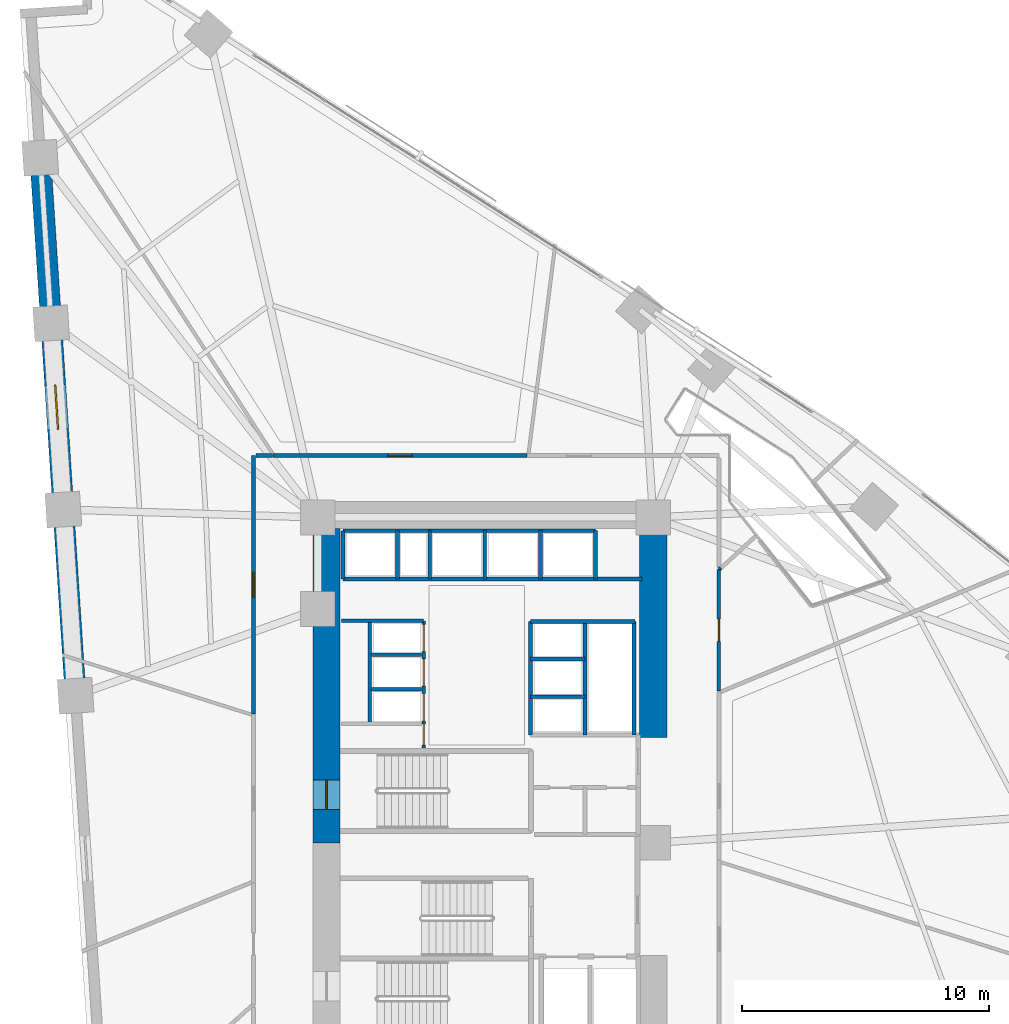
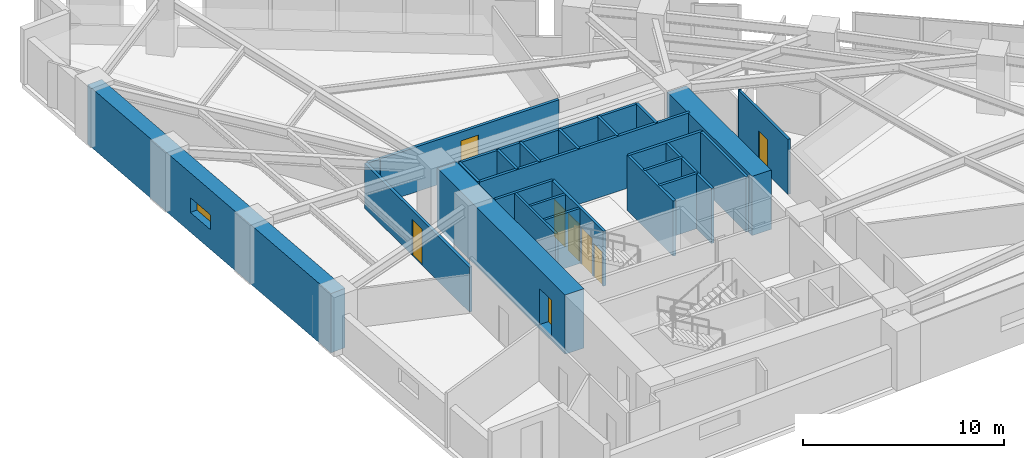
# One storey, part 13 of 16: 28 walls, 8 doors, 1 window, 9 openings.
"""IFC4 building model written with IfcOpenShell, lengths in metres."""

import ifcopenshell
import ifcopenshell.guid

model = None  # the IFC model being written
_history = None  # IfcOwnerHistory: only IFC2X3 demands one
_inside = {}  # id of a spatial element -> (the spatial element, [elements in it])
_under = {}  # id of a project, library or spatial element -> (it, [spatial elements below it])
_declared = {}  # id of a project -> (the project, [libraries it declares])
_typed = {}  # id of a type object -> (the type object, [elements of that type])
_made_of = {}  # id of a material, layer set ... -> (it, [elements and type objects made of it])


def new_model(schema):
    """Start an empty IFC model of exactly this schema.

    Asked for "IFC4X3", IfcOpenShell would pick the latest addendum, in which some entities
    have other attributes; the version numbers below select the first issue.
    IFC2X3 requires an IfcOwnerHistory on every rooted entity: one is made here for all.
    """
    global model, _history
    if schema == "IFC4X3":
        model = ifcopenshell.file(schema_version=(4, 3, 0, 0))
    else:
        model = ifcopenshell.file(schema=schema)
    _inside.clear()
    _under.clear()
    _declared.clear()
    _typed.clear()
    _made_of.clear()
    _history = None
    if model.schema == "IFC2X3":
        org = make("IfcOrganization", Name="unknown")
        user = make(
            "IfcPersonAndOrganization",
            ThePerson=make("IfcPerson", FamilyName="unknown"),
            TheOrganization=org,
        )
        app = make(
            "IfcApplication",
            ApplicationDeveloper=org,
            Version="unknown",
            ApplicationFullName="unknown",
            ApplicationIdentifier="unknown",
        )
        _history = make(
            "IfcOwnerHistory",
            OwningUser=user,
            OwningApplication=app,
            ChangeAction="ADDED",
            CreationDate=0,
        )
    return model


def make(cls, **values):
    """One entity of the class cls with the attributes given. An attribute that is None is left unset."""
    return model.create_entity(
        cls, **{name: value for name, value in values.items() if value is not None}
    )


def rooted(cls, **values):
    """An entity with a GlobalId (a new one), such as an element, a storey or a relation."""
    return make(cls, GlobalId=ifcopenshell.guid.new(), OwnerHistory=_history, **values)


def si_unit(unit_type, name, prefix=None):
    """IfcSIUnit, for example si_unit("LENGTHUNIT", "METRE", prefix="MILLI")."""
    return make("IfcSIUnit", UnitType=unit_type, Prefix=prefix, Name=name)


def assignment(units):
    """IfcUnitAssignment: the units of a project."""
    return None if units is None else make("IfcUnitAssignment", Units=units)


def point(xyz):
    """IfcCartesianPoint."""
    return None if xyz is None else make("IfcCartesianPoint", Coordinates=xyz)


def direction(xyz):
    """IfcDirection."""
    return None if xyz is None else make("IfcDirection", DirectionRatios=xyz)


def frame(location, z_axis=None, x_axis=None):
    """IfcAxis2Placement3D, a coordinate frame: its origin and axes. An axis left out is left unset."""
    return make(
        "IfcAxis2Placement3D",
        Location=point(location),
        Axis=direction(z_axis),
        RefDirection=direction(x_axis),
    )


def frame_2d(location, x_axis=None):
    """IfcAxis2Placement2D, a coordinate frame in the plane: its origin and x axis."""
    return make(
        "IfcAxis2Placement2D", Location=point(location), RefDirection=direction(x_axis)
    )


def origin():
    """The frame at (0, 0, 0) with its axes left unset."""
    return frame((0.0, 0.0, 0.0))


def place(relative_to, where):
    """IfcLocalPlacement: puts the frame where relative to a parent placement (None: the world)."""
    return make(
        "IfcLocalPlacement", PlacementRelTo=relative_to, RelativePlacement=where
    )


def context(
    kind, dimensions, precision=None, world=None, true_north=None, identifier=None
):
    """IfcGeometricRepresentationContext, for example the 3D "Model" context."""
    return make(
        "IfcGeometricRepresentationContext",
        ContextIdentifier=identifier,
        ContextType=kind,
        CoordinateSpaceDimension=dimensions,
        Precision=precision,
        WorldCoordinateSystem=world,
        TrueNorth=true_north,
    )


def subcontext(parent, identifier, kind, view, scale=None):
    """IfcGeometricRepresentationSubContext, for example "Body" below "Model"."""
    return make(
        "IfcGeometricRepresentationSubContext",
        ContextIdentifier=identifier,
        ContextType=kind,
        ParentContext=parent,
        TargetScale=scale,
        TargetView=view,
    )


def project(units=None, contexts=None):
    """IfcProject with its units and contexts."""
    return rooted(
        "IfcProject",
        Name="project",
        RepresentationContexts=contexts,
        UnitsInContext=assignment(units),
    )


def spatial(cls, under=None, at=None, **own):
    """A site, building, storey or space (cls), placed at a placement, below another one or the project."""
    s = rooted(cls, ObjectPlacement=at, **own)
    if under is not None:
        _under.setdefault(under.id(), (under, []))[1].append(s)
    return s


def profile(cls, at=None, kind="AREA", **sizes):
    """A parametric profile (cls). Its sizes go by their IFC names, for example OverallWidth=200.0."""
    return make(cls, ProfileType=kind, Position=at, **sizes)


def rectangle(**sizes):
    """IfcRectangleProfileDef."""
    return profile("IfcRectangleProfileDef", **sizes)


def extrude(swept, where, along, depth):
    """IfcExtrudedAreaSolid: the profile swept, set in the frame where, extruded along a direction by depth."""
    return make(
        "IfcExtrudedAreaSolid",
        SweptArea=swept,
        Position=where,
        ExtrudedDirection=direction(along),
        Depth=depth,
    )


def shape(context_of_items, identifier, shape_type, items):
    """IfcShapeRepresentation: the items that make up one representation, for example the "Body"."""
    return make(
        "IfcShapeRepresentation",
        ContextOfItems=context_of_items,
        RepresentationIdentifier=identifier,
        RepresentationType=shape_type,
        Items=items,
    )


def material(Name=None, Category=None):
    """IfcMaterial."""
    return make("IfcMaterial", Name=Name, Category=Category)


def layer(
    of_material, thickness, ventilated=None, Name=None, Category=None, Priority=None
):
    """IfcMaterialLayer: one layer of a wall or slab, of a material (None: an air gap)."""
    return make(
        "IfcMaterialLayer",
        Material=of_material,
        LayerThickness=thickness,
        IsVentilated=ventilated,
        Name=Name,
        Category=Category,
        Priority=Priority,
    )


def layer_set(layers, Name=None):
    """IfcMaterialLayerSet."""
    return make("IfcMaterialLayerSet", MaterialLayers=layers, LayerSetName=Name)


def made_of(thing, what):
    """Note that an element or type object is made of a material, layer set ...; save() writes the relation."""
    if what is not None:
        _made_of.setdefault(what.id(), (what, []))[1].append(thing)
    return thing


def type_object(cls, material=None, **own):
    """A type object (cls), such as IfcWallType, which elements share."""
    return made_of(rooted(cls, **own), material)


def element(
    cls,
    number,
    at=None,
    inside=None,
    cuts=None,
    type_object=None,
    material=None,
    context=None,
    identifier="Body",
    shape_type=None,
    held_by="IfcProductDefinitionShape",
    body=None,
    shapes=None,
    **own,
):
    """One element of the class cls, such as IfcWall. Its Tag is "e" and its number.

    at: its placement. inside: the storey or other place that contains it. cuts: it is an
    opening in that element (IfcRelVoidsElement). A single representation is given by context,
    identifier, shape_type and body (its items); several are given by shapes. held_by: the class
    of the entity that holds the representations. save() writes the other relations.
    """
    e = rooted(cls, Tag="e%d" % number, ObjectPlacement=at, **own)
    if body is not None:
        shapes = [shape(context, identifier, shape_type, body)]
    if shapes is not None:
        e.Representation = make(held_by, Representations=shapes)
    if inside is not None:
        _inside.setdefault(inside.id(), (inside, []))[1].append(e)
    if cuts is not None:
        rooted(
            "IfcRelVoidsElement", RelatingBuildingElement=cuts, RelatedOpeningElement=e
        )
    if type_object is not None:
        _typed.setdefault(type_object.id(), (type_object, []))[1].append(e)
    return made_of(e, material)


def fill(opening, filler):
    """IfcRelFillsElement: the door or window that sits in an opening."""
    return rooted(
        "IfcRelFillsElement",
        RelatingOpeningElement=opening,
        RelatedBuildingElement=filler,
    )


def aggregate(whole, parts):
    """IfcRelAggregates: a whole, such as a stair, and the parts it consists of."""
    return rooted("IfcRelAggregates", RelatingObject=whole, RelatedObjects=parts)


def save(model, path):
    """Write the relations noted so far, then the file.

    IfcRelAggregates (storeys below a building ...), IfcRelContainedInSpatialStructure (elements
    in a storey), IfcRelDefinesByType, IfcRelAssociatesMaterial and IfcRelDeclares: one each for
    every whole, place, type object, material and project.
    """
    for whole, parts in _under.values():
        aggregate(whole, parts)
    for where, things in _inside.values():
        rooted(
            "IfcRelContainedInSpatialStructure",
            RelatedElements=things,
            RelatingStructure=where,
        )
    for kind, things in _typed.values():
        rooted("IfcRelDefinesByType", RelatedObjects=things, RelatingType=kind)
    for what, things in _made_of.values():
        rooted("IfcRelAssociatesMaterial", RelatedObjects=things, RelatingMaterial=what)
    for by, libraries in _declared.values():
        rooted("IfcRelDeclares", RelatingContext=by, RelatedDefinitions=libraries)
    model.write(path)


model = new_model("IFC4")

# Units and contexts
model_context = context("Model", 3, precision=1e-05, world=origin(), true_north=direction((0.0, 1.0)))
body_context = subcontext(model_context, "Body", "Model", "MODEL_VIEW")
ifc_project = project(units=[si_unit("LENGTHUNIT", "METRE"), si_unit("AREAUNIT", "SQUARE_METRE"), si_unit("VOLUMEUNIT", "CUBIC_METRE"), si_unit("PLANEANGLEUNIT", "RADIAN"), si_unit("MASSUNIT", "GRAM", prefix="KILO")], contexts=[model_context])

# Site, building, storey
site_placement = place(None, origin())
site = spatial("IfcSite", under=ifc_project, at=site_placement, CompositionType="ELEMENT")
building_placement = place(site_placement, origin())
building = spatial("IfcBuilding", under=site, at=building_placement, Name="Narakoshi Arena Tower", CompositionType="ELEMENT")
storey_placement = place(building_placement, frame((0.0, 0.0, 77.699951171875)))
storey = spatial("IfcBuildingStorey", under=building, at=storey_placement, Name="L20", CompositionType="ELEMENT", Elevation=77.699951171875)

# Wall, opening, door
ifc_material_1 = material(Name="Concrete C60/75", Category="concrete")
ifc_layer_1 = layer(ifc_material_1, 1.10009765625)
ifc_layer_set_1 = layer_set([ifc_layer_1], Name="Concrete C60/75")
wall_type_1 = type_object("IfcWallType", Name="WL-CORE-1100", PredefinedType="SHEAR", material=ifc_layer_set_1)
wall_1_placement = place(storey_placement, frame((72.35009765625, 43.35009765625, -0.260009765625), z_axis=(0.0, 0.0, 1.0), x_axis=(0.0, 1.0, 0.0)))
wall_1 = element("IfcWall", 1, at=wall_1_placement, inside=storey, type_object=wall_type_1, Name="L20 Main Core Shear Wall CW-MN-W", PredefinedType="SHEAR", context=body_context, shape_type="SweptSolid", body=[
    extrude(rectangle(XDim=12.699951171875, YDim=1.10009765625, at=frame_2d((6.35009765625, 0.0))), origin(), (0.0, 0.0, 1.0), 3.60009765625),
])
opening_1_placement = place(wall_1_placement, frame((1.35009765625, 0.0, 0.260009765625)))
opening_1 = element("IfcOpeningElement", 2, at=opening_1_placement, cuts=wall_1, Name="Opening D-03", PredefinedType="OPENING", context=body_context, shape_type="SweptSolid", body=[
    extrude(rectangle(XDim=1.199951171875, YDim=2.199951171875, at=frame_2d((0.60009765625, 1.10009765625))), frame((0.0, 0.56005859375, 0.0), z_axis=(0.0, -1.0, 0.0), x_axis=(1.0, 0.0, 0.0)), (0.0, 0.0, 1.0), 1.1201171875),
])
ifc_material_2 = material(Name="Painted galvanized steel", Category="steel")
door_type_1 = type_object("IfcDoorType", Name="DR-STR-1200", OperationType="NOTDEFINED", PredefinedType="USERDEFINED", material=ifc_material_2)
door_1_placement = place(opening_1_placement, frame((1.199951171875, 0.0, 0.0), z_axis=(0.0, 0.0, 1.0), x_axis=(-1.0, 0.0, 0.0)))
door_1 = element("IfcDoor", 3, at=door_1_placement, inside=storey, type_object=door_type_1, Name="DR-L20-006", ObjectType="EXITDOOR", OperationType="SINGLE_SWING_LEFT", OverallHeight=2.199951171875, OverallWidth=1.199951171875, PredefinedType="USERDEFINED", context=body_context, shape_type="SweptSolid", body=[
    extrude(rectangle(XDim=1.199951171875, YDim=2.199951171875, at=frame_2d((0.60009765625, 1.10009765625))), frame((0.0, 0.02490234375, 0.0), z_axis=(0.0, -1.0, 0.0), x_axis=(1.0, 0.0, 0.0)), (0.0, 0.0, 1.0), 0.050048828125),
])
fill(opening_1, door_1)

# Wall
wall_2_placement = place(storey_placement, frame((85.550048828125, 47.60009765625, -0.260009765625), z_axis=(0.0, 0.0, 1.0), x_axis=(0.0, 1.0, 0.0)))
element("IfcWall", 4, at=wall_2_placement, inside=storey, type_object=wall_type_1, Name="L20 Main Core Shear Wall CW-MN-E", PredefinedType="SHEAR", context=body_context, shape_type="SweptSolid", body=[
    extrude(rectangle(XDim=8.449951171875, YDim=1.10009765625, at=frame_2d((4.22509765625, 0.0))), origin(), (0.0, 0.0, 1.0), 3.60009765625),
])

# Wall, opening, door
ifc_material_3 = material(Name="Gypsum plasterboard fire-rated partition")
ifc_layer_2 = layer(ifc_material_3, 0.1650390625)
ifc_layer_set_2 = layer_set([ifc_layer_2], Name="Gypsum plasterboard fire-rated partition")
wall_type_2 = type_object("IfcWallType", Name="WL-CORR-165", PredefinedType="PARTITIONING", material=ifc_layer_set_2)
wall_3_placement = place(storey_placement, frame((80.44482421875, 58.99755859375, 0.0), z_axis=(0.0, 0.0, 1.0), x_axis=(-1.0, 0.0, 0.0)))
wall_3 = element("IfcWall", 5, at=wall_3_placement, inside=storey, type_object=wall_type_2, Name="L20 Corridor Partition 08-1", PredefinedType="PARTITIONING", context=body_context, shape_type="SweptSolid", body=[
    extrude(rectangle(XDim=10.248046875, YDim=0.1650390625, at=frame_2d((5.1240234375, 0.0))), origin(), (0.0, 0.0, 1.0), 2.72509765625),
])
opening_2_placement = place(wall_3_placement, frame((4.6240234375, 0.0, 0.0)))
opening_2 = element("IfcOpeningElement", 6, at=opening_2_placement, cuts=wall_3, Name="Opening D-06", PredefinedType="OPENING", context=body_context, shape_type="SweptSolid", body=[
    extrude(rectangle(XDim=1.0, YDim=2.199951171875, at=frame_2d((0.5, 1.10009765625))), frame((0.0, 0.092529296875, 0.0), z_axis=(0.0, -1.0, 0.0), x_axis=(1.0, 0.0, 0.0)), (0.0, 0.0, 1.0), 0.18505859375),
])
ifc_material_4 = material(Name="Stained oak solid-core timber", Category="wood")
door_type_2 = type_object("IfcDoorType", Name="DR-OFF-1000", OperationType="NOTDEFINED", PredefinedType="DOOR", material=ifc_material_4)
door_2_placement = place(opening_2_placement, frame((1.0, 0.0, 0.0), z_axis=(0.0, 0.0, 1.0), x_axis=(-1.0, 0.0, 0.0)))
door_2 = element("IfcDoor", 7, at=door_2_placement, inside=storey, type_object=door_type_2, Name="DR-L20-021", OperationType="SINGLE_SWING_LEFT", OverallHeight=2.199951171875, OverallWidth=1.0, PredefinedType="DOOR", context=body_context, shape_type="SweptSolid", body=[
    extrude(rectangle(XDim=1.0, YDim=2.199951171875, at=frame_2d((0.5, 1.10009765625))), frame((0.0, 0.02490234375, 0.0), z_axis=(0.0, -1.0, 0.0), x_axis=(1.0, 0.0, 0.0)), (0.0, 0.0, 1.0), 0.050048828125),
])
fill(opening_2, door_2)

wall_4_placement = place(storey_placement, frame((69.402587890625, 58.99755859375, 0.0), z_axis=(0.0, 0.0, 1.0), x_axis=(0.0, -1.0, 0.0)))
wall_4 = element("IfcWall", 8, at=wall_4_placement, inside=storey, type_object=wall_type_2, Name="L20 Corridor Partition 09-1", PredefinedType="PARTITIONING", context=body_context, shape_type="SweptSolid", body=[
    extrude(rectangle(XDim=10.430908203125, YDim=0.1650390625, at=frame_2d((5.21533203125, 0.0))), origin(), (0.0, 0.0, 1.0), 2.72509765625),
])
opening_3_placement = place(wall_4_placement, frame((4.715576171875, 0.0, 0.0)))
opening_3 = element("IfcOpeningElement", 9, at=opening_3_placement, cuts=wall_4, Name="Opening D-06", PredefinedType="OPENING", context=body_context, shape_type="SweptSolid", body=[
    extrude(rectangle(XDim=1.0, YDim=2.199951171875, at=frame_2d((0.5, 1.10009765625))), frame((0.0, 0.092529296875, 0.0), z_axis=(0.0, -1.0, 0.0), x_axis=(1.0, 0.0, 0.0)), (0.0, 0.0, 1.0), 0.18505859375),
])
door_3_placement = place(opening_3_placement, frame((1.0, 0.0, 0.0), z_axis=(0.0, 0.0, 1.0), x_axis=(-1.0, 0.0, 0.0)))
door_3 = element("IfcDoor", 10, at=door_3_placement, inside=storey, type_object=door_type_2, Name="DR-L20-022", OperationType="SINGLE_SWING_RIGHT", OverallHeight=2.199951171875, OverallWidth=1.0, PredefinedType="DOOR", context=body_context, shape_type="SweptSolid", body=[
    extrude(rectangle(XDim=1.0, YDim=2.199951171875, at=frame_2d((0.5, 1.10009765625))), frame((0.0, 0.02490234375, 0.0), z_axis=(0.0, -1.0, 0.0), x_axis=(1.0, 0.0, 0.0)), (0.0, 0.0, 1.0), 0.050048828125),
])
fill(opening_3, door_3)

# Wall
wall_5_placement = place(storey_placement, frame((70.168212890625, 58.99755859375, 0.0), z_axis=(0.0, 0.0, 1.0), x_axis=(-1.0, 0.0, 0.0)))
element("IfcWall", 11, at=wall_5_placement, inside=storey, type_object=wall_type_2, Name="L20 Corridor Partition 09-2", PredefinedType="PARTITIONING", context=body_context, shape_type="SweptSolid", body=[
    extrude(rectangle(XDim=0.671142578125, YDim=0.1650390625, at=frame_2d((0.33544921875, 0.0))), origin(), (0.0, 0.0, 1.0), 2.72509765625),
])

# Wall, opening, window
ifc_layer_3 = layer(ifc_material_1, 0.85009765625)
ifc_layer_set_3 = layer_set([ifc_layer_3], Name="Concrete C60/75")
wall_type_3 = type_object("IfcWallType", Name="WL-LEG-850", PredefinedType="SHEAR", material=ifc_layer_set_3)
wall_6_placement = place(storey_placement, frame((60.785400390625, 71.031005859375, -0.260009765625), z_axis=(0.0, 0.0, 1.0), x_axis=(0.065409824833, -0.997858484363, 0.0)))
wall_6 = element("IfcWall", 12, at=wall_6_placement, inside=storey, type_object=wall_type_3, Name="L20 Architectural Concrete Structural Wall LEGB-2", PredefinedType="SHEAR", context=body_context, shape_type="SweptSolid", body=[
    extrude(rectangle(XDim=21.78271484375, YDim=0.85009765625, at=frame_2d((10.891357421875, 0.0))), origin(), (0.0, 0.0, 1.0), 3.60009765625),
])
opening_4_placement = place(wall_6_placement, frame((9.199951171875, 0.0, 1.199951171875)))
opening_4 = element("IfcOpeningElement", 13, at=opening_4_placement, cuts=wall_6, Name="Opening WN-02", PredefinedType="OPENING", context=body_context, shape_type="SweptSolid", body=[
    extrude(rectangle(XDim=1.800048828125, YDim=0.89990234375, at=frame_2d((0.89990234375, 0.449951171875))), frame((0.0, 0.43505859375, 0.0), z_axis=(0.0, -1.0, 0.0), x_axis=(1.0, 0.0, 0.0)), (0.0, 0.0, 1.0), 0.8701171875),
])
ifc_material_5 = material(Name="Bronze-tinted low-E laminated glass", Category="glass")
window_type = type_object("IfcWindowType", Name="WIN-SLT-18x09", PartitioningType="SINGLE_PANEL", PredefinedType="WINDOW", material=ifc_material_5)
window_placement = place(opening_4_placement, origin())
window = element("IfcWindow", 14, at=window_placement, inside=storey, type_object=window_type, Name="L20 LEGB2 Horizontal Slot Window 1", OverallHeight=0.89990234375, OverallWidth=1.800048828125, PartitioningType="SINGLE_PANEL", PredefinedType="WINDOW", context=body_context, shape_type="SweptSolid", body=[
    extrude(rectangle(XDim=1.800048828125, YDim=0.89990234375, at=frame_2d((0.89990234375, 0.449951171875))), frame((0.0, 0.030029296875, 0.0), z_axis=(0.0, -1.0, 0.0), x_axis=(1.0, 0.0, 0.0)), (0.0, 0.0, 1.0), 0.06005859375),
])
fill(opening_4, window)

# Walls
ifc_material_6 = material(Name="Concrete C40/50", Category="concrete")
ifc_layer_4 = layer(ifc_material_6, 0.280029296875)
ifc_layer_set_4 = layer_set([ifc_layer_4], Name="Concrete C40/50")
wall_type_4 = type_object("IfcWallType", Name="WL-RISER-280", PredefinedType="PLUMBINGWALL", material=ifc_layer_set_4)
for number, where, z_axis, x_axis, name in (
    (15, (74.14990234375, 49.550048828125, 0.0), (0.0, 0.0, 1.0), (1.0, 0.0, 0.0), "L20 Core Wall LR-D1"),
    (16, (74.14990234375, 50.949951171875, 0.0), (0.0, 0.0, 1.0), (1.0, 0.0, 0.0), "L20 Core Wall LR-D2"),
):
    element("IfcWall", number, at=place(storey_placement, frame(where, z_axis=z_axis, x_axis=x_axis)), inside=storey, type_object=wall_type_4, Name=name, PredefinedType="PLUMBINGWALL", context=body_context, shape_type="SweptSolid", body=[
        extrude(rectangle(XDim=2.0400390625, YDim=0.139892578125, at=frame_2d((1.02001953125, 0.0))), origin(), (0.0, 0.0, 1.0), 3.340087890625),
    ])
wall_7_placement = place(storey_placement, frame((74.10009765625, 48.159912109375, 0.0), z_axis=(0.0, 0.0, 1.0), x_axis=(0.0, 1.0, 0.0)))
element("IfcWall", 17, at=wall_7_placement, inside=storey, type_object=wall_type_4, Name="L20 Core Wall LR-W", PredefinedType="PLUMBINGWALL", context=body_context, shape_type="SweptSolid", body=[
    extrude(rectangle(XDim=4.16015625, YDim=0.139892578125, at=frame_2d((2.080078125, 0.0))), origin(), (0.0, 0.0, 1.0), 3.340087890625),
])
for number, where, z_axis, x_axis, name in (
    (18, (80.60009765625, 49.260009765625, 0.0), (0.0, 0.0, 1.0), (1.0, 0.0, 0.0), "L20 Core Wall MR-D1"),
    (19, (80.60009765625, 50.780029296875, 0.0), (0.0, 0.0, 1.0), (1.0, 0.0, 0.0), "L20 Core Wall MR-D2"),
):
    element("IfcWall", number, at=place(storey_placement, frame(where, z_axis=z_axis, x_axis=x_axis)), inside=storey, type_object=wall_type_4, Name=name, PredefinedType="PLUMBINGWALL", context=body_context, shape_type="SweptSolid", body=[
        extrude(rectangle(XDim=2.199951171875, YDim=0.14990234375, at=frame_2d((1.10009765625, 0.0))), origin(), (0.0, 0.0, 1.0), 3.340087890625),
    ])
wall_8_placement = place(storey_placement, frame((82.800048828125, 47.699951171875, 0.0), z_axis=(0.0, 0.0, 1.0), x_axis=(0.0, 1.0, 0.0)))
element("IfcWall", 20, at=wall_8_placement, inside=storey, type_object=wall_type_4, Name="L20 Core Wall MR-E", PredefinedType="PLUMBINGWALL", context=body_context, shape_type="SweptSolid", body=[
    extrude(rectangle(XDim=4.60009765625, YDim=0.14990234375, at=frame_2d((2.300048828125, 0.0))), origin(), (0.0, 0.0, 1.0), 3.340087890625),
])
for number, where, z_axis, x_axis, name in (
    (21, (73.02001953125, 54.02001953125, 0.0), (0.0, 0.0, 1.0), (0.0, 1.0, 0.0), "L20 Core Wall OBS-W"),
    (22, (75.219970703125, 54.02001953125, 0.0), (0.0, 0.0, 1.0), (0.0, 1.0, 0.0), "L20 Core Wall OBS-M"),
):
    element("IfcWall", number, at=place(storey_placement, frame(where, z_axis=z_axis, x_axis=x_axis)), inside=storey, type_object=wall_type_4, Name=name, PredefinedType="PLUMBINGWALL", context=body_context, shape_type="SweptSolid", body=[
        extrude(rectangle(XDim=1.93994140625, YDim=0.14990234375, at=frame_2d((0.969970703125, 0.0))), origin(), (0.0, 0.0, 1.0), 3.340087890625),
    ])
for number, where, z_axis, x_axis, name in (
    (23, (78.75, 54.02001953125, 0.0), (0.0, 0.0, 1.0), (0.0, 1.0, 0.0), "L20 Core Wall HR-D1"),
    (24, (81.0, 54.02001953125, 0.0), (0.0, 0.0, 1.0), (0.0, 1.0, 0.0), "L20 Core Wall HR-D2"),
):
    element("IfcWall", number, at=place(storey_placement, frame(where, z_axis=z_axis, x_axis=x_axis)), inside=storey, type_object=wall_type_4, Name=name, PredefinedType="PLUMBINGWALL", context=body_context, shape_type="SweptSolid", body=[
        extrude(rectangle(XDim=1.9599609375, YDim=0.14990234375, at=frame_2d((0.97998046875, 0.0))), origin(), (0.0, 0.0, 1.0), 3.340087890625),
    ])

# Wall, openings, doors
ifc_material_7 = material(Name="Concrete C50/60", Category="concrete")
ifc_layer_5 = layer(ifc_material_7, 0.35009765625)
ifc_layer_set_5 = layer_set([ifc_layer_5], Name="Concrete C50/60")
wall_type_5 = type_object("IfcWallType", Name="WL-SHAFT-350", PredefinedType="SOLIDWALL", material=ifc_layer_set_5)
wall_9_placement = place(storey_placement, frame((76.280029296875, 47.179931640625, 0.0), z_axis=(0.0, 0.0, 1.0), x_axis=(0.0, 1.0, 0.0)))
wall_9 = element("IfcWall", 25, at=wall_9_placement, inside=storey, type_object=wall_type_5, Name="L20 Core Wall LR-E", PredefinedType="SOLIDWALL", context=body_context, shape_type="SweptSolid", body=[
    extrude(rectangle(XDim=5.14013671875, YDim=0.159912109375, at=frame_2d((2.570068359375, 0.0))), origin(), (0.0, 0.0, 1.0), 3.340087890625),
])
opening_5_placement = place(wall_9_placement, frame((1.10009765625, 0.0, 0.0)))
opening_5 = element("IfcOpeningElement", 26, at=opening_5_placement, cuts=wall_9, Name="Opening LD-01", PredefinedType="OPENING", context=body_context, shape_type="SweptSolid", body=[
    extrude(rectangle(XDim=1.10009765625, YDim=2.25, at=frame_2d((0.550048828125, 1.125))), frame((0.0, 0.08984375, 0.0), z_axis=(0.0, -1.0, 0.0), x_axis=(1.0, 0.0, 0.0)), (0.0, 0.0, 1.0), 0.179931640625),
])
opening_6_placement = place(wall_9_placement, frame((2.5, 0.0, 0.0)))
opening_6 = element("IfcOpeningElement", 27, at=opening_6_placement, cuts=wall_9, Name="Opening LD-01", PredefinedType="OPENING", context=body_context, shape_type="SweptSolid", body=[
    extrude(rectangle(XDim=1.10009765625, YDim=2.25, at=frame_2d((0.550048828125, 1.125))), frame((0.0, 0.08984375, 0.0), z_axis=(0.0, -1.0, 0.0), x_axis=(1.0, 0.0, 0.0)), (0.0, 0.0, 1.0), 0.179931640625),
])
opening_7_placement = place(wall_9_placement, frame((3.89990234375, 0.0, 0.0)))
opening_7 = element("IfcOpeningElement", 28, at=opening_7_placement, cuts=wall_9, Name="Opening LD-01", PredefinedType="OPENING", context=body_context, shape_type="SweptSolid", body=[
    extrude(rectangle(XDim=1.10009765625, YDim=2.25, at=frame_2d((0.550048828125, 1.125))), frame((0.0, 0.08984375, 0.0), z_axis=(0.0, -1.0, 0.0), x_axis=(1.0, 0.0, 0.0)), (0.0, 0.0, 1.0), 0.179931640625),
])
opening_8_placement = place(wall_9_placement, frame((0.1201171875, 0.0, 0.0)))
opening_8 = element("IfcOpeningElement", 29, at=opening_8_placement, cuts=wall_9, Name="Opening D-10", PredefinedType="OPENING", context=body_context, shape_type="SweptSolid", body=[
    extrude(rectangle(XDim=0.85009765625, YDim=2.050048828125, at=frame_2d((0.425048828125, 1.02490234375))), frame((0.0, 0.08984375, 0.0), z_axis=(0.0, -1.0, 0.0), x_axis=(1.0, 0.0, 0.0)), (0.0, 0.0, 1.0), 0.179931640625),
])
ifc_material_8 = material(Name="Brushed bronze stainless steel", Category="steel")
door_type_3 = type_object("IfcDoorType", Name="DR-LFT-1100", OperationType="DOUBLE_DOOR_SLIDING", PredefinedType="DOOR", material=ifc_material_8)
door_4_placement = place(opening_5_placement, origin())
door_4 = element("IfcDoor", 30, at=door_4_placement, inside=storey, type_object=door_type_3, Name="DR-L20-010", OperationType="DOUBLE_DOOR_SLIDING", OverallHeight=2.25, OverallWidth=1.10009765625, PredefinedType="DOOR", context=body_context, shape_type="SweptSolid", body=[
    extrude(rectangle(XDim=1.10009765625, YDim=2.25, at=frame_2d((0.550048828125, 1.125))), frame((0.0, 0.02490234375, 0.0), z_axis=(0.0, -1.0, 0.0), x_axis=(1.0, 0.0, 0.0)), (0.0, 0.0, 1.0), 0.050048828125),
])
fill(opening_5, door_4)
door_5_placement = place(opening_6_placement, origin())
door_5 = element("IfcDoor", 31, at=door_5_placement, inside=storey, type_object=door_type_3, Name="DR-L20-011", OperationType="DOUBLE_DOOR_SLIDING", OverallHeight=2.25, OverallWidth=1.10009765625, PredefinedType="DOOR", context=body_context, shape_type="SweptSolid", body=[
    extrude(rectangle(XDim=1.10009765625, YDim=2.25, at=frame_2d((0.550048828125, 1.125))), frame((0.0, 0.02490234375, 0.0), z_axis=(0.0, -1.0, 0.0), x_axis=(1.0, 0.0, 0.0)), (0.0, 0.0, 1.0), 0.050048828125),
])
fill(opening_6, door_5)
door_6_placement = place(opening_7_placement, origin())
door_6 = element("IfcDoor", 32, at=door_6_placement, inside=storey, type_object=door_type_3, Name="DR-L20-012", OperationType="DOUBLE_DOOR_SLIDING", OverallHeight=2.25, OverallWidth=1.10009765625, PredefinedType="DOOR", context=body_context, shape_type="SweptSolid", body=[
    extrude(rectangle(XDim=1.10009765625, YDim=2.25, at=frame_2d((0.550048828125, 1.125))), frame((0.0, 0.02490234375, 0.0), z_axis=(0.0, -1.0, 0.0), x_axis=(1.0, 0.0, 0.0)), (0.0, 0.0, 1.0), 0.050048828125),
])
fill(opening_7, door_6)
door_type_4 = type_object("IfcDoorType", Name="DR-RSR-850", OperationType="NOTDEFINED", PredefinedType="DOOR", material=ifc_material_2)
door_7_placement = place(opening_8_placement, frame((0.85009765625, 0.0, 0.0), z_axis=(0.0, 0.0, 1.0), x_axis=(-1.0, 0.0, 0.0)))
door_7 = element("IfcDoor", 33, at=door_7_placement, inside=storey, type_object=door_type_4, Name="DR-L20-013", OperationType="SINGLE_SWING_LEFT", OverallHeight=2.050048828125, OverallWidth=0.85009765625, PredefinedType="DOOR", context=body_context, shape_type="SweptSolid", body=[
    extrude(rectangle(XDim=0.85009765625, YDim=2.050048828125, at=frame_2d((0.425048828125, 1.02490234375))), frame((0.0, 0.02490234375, 0.0), z_axis=(0.0, -1.0, 0.0), x_axis=(1.0, 0.0, 0.0)), (0.0, 0.0, 1.0), 0.050048828125),
])
fill(opening_8, door_7)

# Walls
wall_10_placement = place(storey_placement, frame((72.949951171875, 52.320068359375, 0.0), z_axis=(0.0, 0.0, 1.0), x_axis=(1.0, 0.0, 0.0)))
element("IfcWall", 34, at=wall_10_placement, inside=storey, type_object=wall_type_5, Name="L20 Core Wall LR-N", PredefinedType="SOLIDWALL", context=body_context, shape_type="SweptSolid", body=[
    extrude(rectangle(XDim=3.330078125, YDim=0.14990234375, at=frame_2d((1.6650390625, 0.0))), origin(), (0.0, 0.0, 1.0), 3.340087890625),
])
wall_11_placement = place(storey_placement, frame((80.60009765625, 47.699951171875, 0.0), z_axis=(0.0, 0.0, 1.0), x_axis=(0.0, 1.0, 0.0)))
element("IfcWall", 35, at=wall_11_placement, inside=storey, type_object=wall_type_5, Name="L20 Core Wall MR-W", PredefinedType="SOLIDWALL", context=body_context, shape_type="SweptSolid", body=[
    extrude(rectangle(XDim=4.60009765625, YDim=0.159912109375, at=frame_2d((2.300048828125, 0.0))), origin(), (0.0, 0.0, 1.0), 3.340087890625),
])
wall_12_placement = place(storey_placement, frame((80.60009765625, 52.300048828125, 0.0), z_axis=(0.0, 0.0, 1.0), x_axis=(1.0, 0.0, 0.0)))
element("IfcWall", 36, at=wall_12_placement, inside=storey, type_object=wall_type_5, Name="L20 Core Wall MR-N", PredefinedType="SOLIDWALL", context=body_context, shape_type="SweptSolid", body=[
    extrude(rectangle(XDim=4.219970703125, YDim=0.159912109375, at=frame_2d((2.10986328125, 0.0))), origin(), (0.0, 0.0, 1.0), 3.340087890625),
])
wall_13_placement = place(storey_placement, frame((84.780029296875, 47.699951171875, 0.0), z_axis=(0.0, 0.0, 1.0), x_axis=(0.0, 1.0, 0.0)))
element("IfcWall", 37, at=wall_13_placement, inside=storey, type_object=wall_type_5, Name="L20 Core Wall MR-E2", PredefinedType="SOLIDWALL", context=body_context, shape_type="SweptSolid", body=[
    extrude(rectangle(XDim=4.60009765625, YDim=0.159912109375, at=frame_2d((2.300048828125, 0.0))), origin(), (0.0, 0.0, 1.0), 3.340087890625),
])
wall_14_placement = place(storey_placement, frame((73.02001953125, 54.02001953125, 0.0), z_axis=(0.0, 0.0, 1.0), x_axis=(1.0, 0.0, 0.0)))
element("IfcWall", 38, at=wall_14_placement, inside=storey, type_object=wall_type_5, Name="L20 Core Wall NSHF-S", PredefinedType="SOLIDWALL", context=body_context, shape_type="SweptSolid", body=[
    extrude(rectangle(XDim=12.080078125, YDim=0.159912109375, at=frame_2d((6.0400390625, 0.0))), origin(), (0.0, 0.0, 1.0), 3.340087890625),
])
wall_15_placement = place(storey_placement, frame((73.02001953125, 55.9599609375, 0.0), z_axis=(0.0, 0.0, 1.0), x_axis=(1.0, 0.0, 0.0)))
element("IfcWall", 39, at=wall_15_placement, inside=storey, type_object=wall_type_5, Name="L20 Core Wall OBS-N", PredefinedType="SOLIDWALL", context=body_context, shape_type="SweptSolid", body=[
    extrude(rectangle(XDim=3.5, YDim=0.14990234375, at=frame_2d((1.75, 0.0))), origin(), (0.0, 0.0, 1.0), 3.340087890625),
])
wall_16_placement = place(storey_placement, frame((76.52001953125, 54.02001953125, 0.0), z_axis=(0.0, 0.0, 1.0), x_axis=(0.0, 1.0, 0.0)))
element("IfcWall", 40, at=wall_16_placement, inside=storey, type_object=wall_type_5, Name="L20 Core Wall OBS-E", PredefinedType="SOLIDWALL", context=body_context, shape_type="SweptSolid", body=[
    extrude(rectangle(XDim=1.93994140625, YDim=0.14990234375, at=frame_2d((0.969970703125, 0.0))), origin(), (0.0, 0.0, 1.0), 3.340087890625),
])
wall_17_placement = place(storey_placement, frame((83.219970703125, 54.02001953125, 0.0), z_axis=(0.0, 0.0, 1.0), x_axis=(0.0, 1.0, 0.0)))
element("IfcWall", 41, at=wall_17_placement, inside=storey, type_object=wall_type_5, Name="L20 Core Wall HR-E", PredefinedType="SOLIDWALL", context=body_context, shape_type="SweptSolid", body=[
    extrude(rectangle(XDim=1.9599609375, YDim=0.14990234375, at=frame_2d((0.97998046875, 0.0))), origin(), (0.0, 0.0, 1.0), 3.340087890625),
])
wall_18_placement = place(storey_placement, frame((76.52001953125, 55.9599609375, 0.0), z_axis=(0.0, 0.0, 1.0), x_axis=(1.0, 0.0, 0.0)))
element("IfcWall", 42, at=wall_18_placement, inside=storey, type_object=wall_type_5, Name="L20 Core Wall HR-N", PredefinedType="SOLIDWALL", context=body_context, shape_type="SweptSolid", body=[
    extrude(rectangle(XDim=6.699951171875, YDim=0.14990234375, at=frame_2d((3.35009765625, 0.0))), origin(), (0.0, 0.0, 1.0), 3.340087890625),
])

# Wall, opening, door
ifc_material_9 = material(Name="Moisture-resistant cement-board partition")
ifc_layer_6 = layer(ifc_material_9, 0.14501953125)
ifc_layer_set_6 = layer_set([ifc_layer_6], Name="Moisture-resistant cement-board partition")
wall_type_6 = type_object("IfcWallType", Name="WL-WET-145", PredefinedType="PARTITIONING", material=ifc_layer_set_6)
wall_19_placement = place(storey_placement, frame((88.20947265625, 49.481689453125, 0.0), z_axis=(0.0, 0.0, 1.0), x_axis=(0.0, 1.0, 0.0)))
wall_19 = element("IfcWall", 43, at=wall_19_placement, inside=storey, type_object=wall_type_6, Name="L20 Corridor Partition 06-1", PredefinedType="PARTITIONING", context=body_context, shape_type="SweptSolid", body=[
    extrude(rectangle(XDim=4.92236328125, YDim=0.14501953125, at=frame_2d((2.461181640625, 0.0))), origin(), (0.0, 0.0, 1.0), 3.340087890625),
])
opening_9_placement = place(wall_19_placement, frame((2.01123046875, 0.0, 0.0)))
opening_9 = element("IfcOpeningElement", 44, at=opening_9_placement, cuts=wall_19, Name="Opening D-08", PredefinedType="OPENING", context=body_context, shape_type="SweptSolid", body=[
    extrude(rectangle(XDim=0.89990234375, YDim=2.10009765625, at=frame_2d((0.449951171875, 1.050048828125))), frame((0.0, 0.08251953125, 0.0), z_axis=(0.0, -1.0, 0.0), x_axis=(1.0, 0.0, 0.0)), (0.0, 0.0, 1.0), 0.1650390625),
])
ifc_material_10 = material(Name="Moisture-resistant laminate timber", Category="wood")
door_type_5 = type_object("IfcDoorType", Name="DR-WC-900", OperationType="NOTDEFINED", PredefinedType="DOOR", material=ifc_material_10)
door_8_placement = place(opening_9_placement, frame((0.89990234375, 0.0, 0.0), z_axis=(0.0, 0.0, 1.0), x_axis=(-1.0, 0.0, 0.0)))
door_8 = element("IfcDoor", 45, at=door_8_placement, inside=storey, type_object=door_type_5, Name="DR-L20-019", OperationType="SINGLE_SWING_LEFT", OverallHeight=2.10009765625, OverallWidth=0.89990234375, PredefinedType="DOOR", context=body_context, shape_type="SweptSolid", body=[
    extrude(rectangle(XDim=0.89990234375, YDim=2.10009765625, at=frame_2d((0.449951171875, 1.050048828125))), frame((0.0, 0.02490234375, 0.0), z_axis=(0.0, -1.0, 0.0), x_axis=(1.0, 0.0, 0.0)), (0.0, 0.0, 1.0), 0.050048828125),
])
fill(opening_9, door_8)

# Wall
wall_20_placement = place(storey_placement, frame((88.20947265625, 54.404052734375, 0.0), z_axis=(0.0, 0.0, 1.0), x_axis=(0.729073032878, 0.684435908416, 0.0)))
element("IfcWall", 46, at=wall_20_placement, inside=storey, type_object=wall_type_6, Name="L20 Corridor Partition 06-2", PredefinedType="PARTITIONING", context=body_context, shape_type="SweptSolid", body=[
    extrude(rectangle(XDim=0.08203125, YDim=0.14501953125, at=frame_2d((0.041015625, 0.0))), origin(), (0.0, 0.0, 1.0), 3.340087890625),
])

save(model, "model.ifc")
